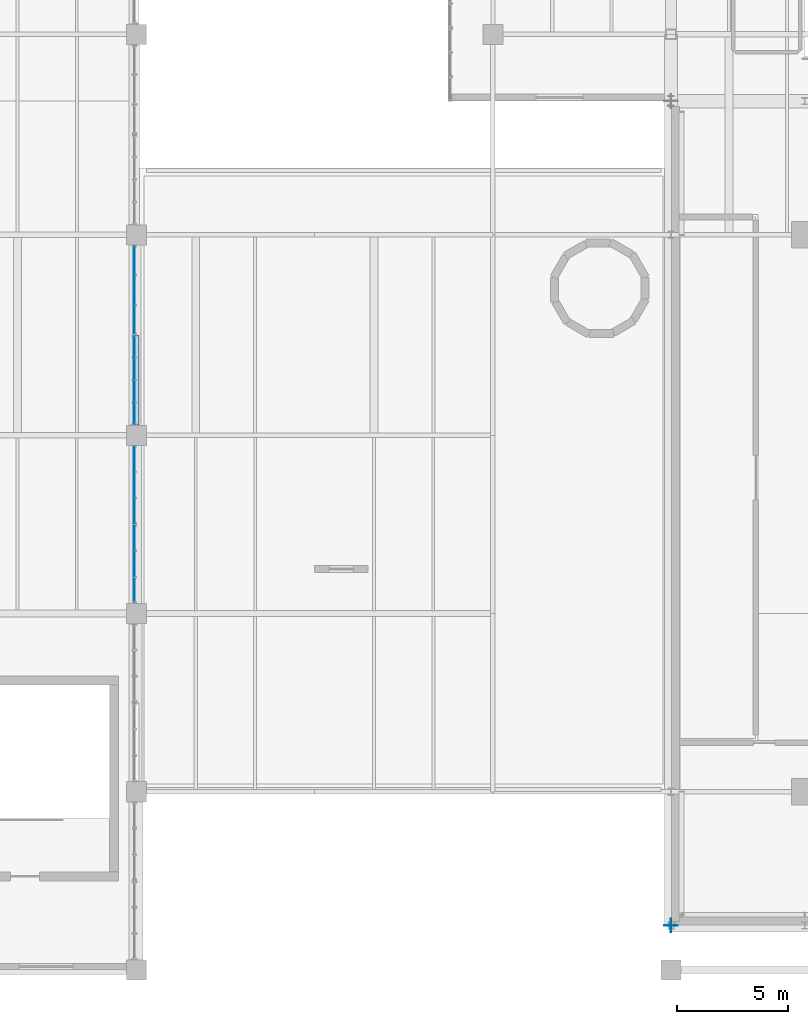
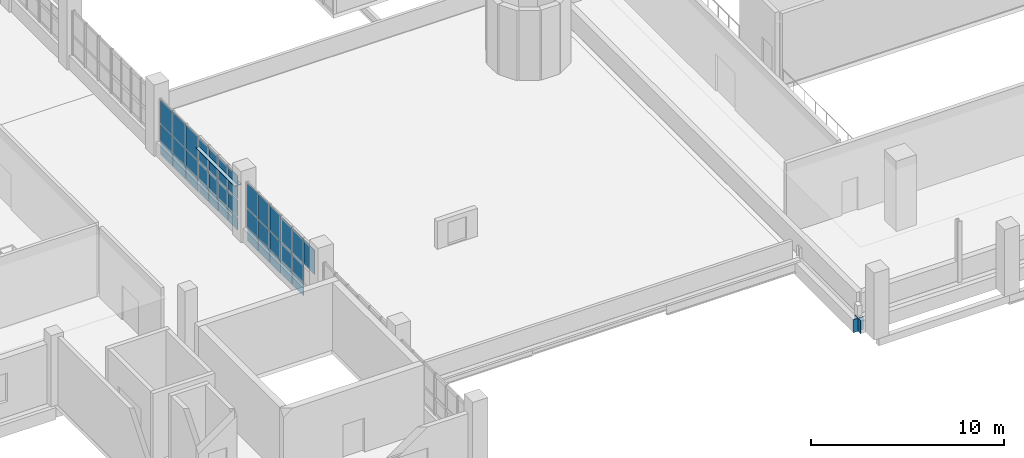
# One storey, part 51 of 85: 40 plates, 4 elements without a shape of their own.
"""IFC4 building model written with IfcOpenShell, lengths in metres."""

from ifc_helpers import new_model, si_unit, derived_unit, direction, frame, origin, origin_2d, place, context, subcontext, project, spatial, rectangle, extrude, material, layer, layer_set, type_object, element, aggregate, save


model = new_model("IFC4")

# Units and contexts
model_context = context("Model", 3, precision=1e-05, world=origin(), true_north=direction((0.0, 1.0)))
body_context = subcontext(model_context, "Body", "Model", "MODEL_VIEW")
ifc_project = project(units=[si_unit("LENGTHUNIT", "METRE"), si_unit("AREAUNIT", "SQUARE_METRE"), si_unit("VOLUMEUNIT", "CUBIC_METRE"), si_unit("PLANEANGLEUNIT", "RADIAN"), si_unit("MASSUNIT", "GRAM", prefix="KILO"), derived_unit("THERMALTRANSMITTANCEUNIT", [(si_unit("POWERUNIT", "WATT"), 1), (si_unit("LENGTHUNIT", "METRE"), -2), (si_unit("THERMODYNAMICTEMPERATUREUNIT", "KELVIN"), -1)])], contexts=[model_context])

# Site, building, storey
site_placement = place(None, origin())
site = spatial("IfcSite", under=ifc_project, at=site_placement, CompositionType="ELEMENT")
building_placement = place(site_placement, origin())
building = spatial("IfcBuilding", under=site, at=building_placement, Name="Nallur Shell Playhouse", CompositionType="ELEMENT")
storey_placement = place(building_placement, frame((0.0, 0.0, 19.800048828125)))
storey = spatial("IfcBuildingStorey", under=building, at=storey_placement, Name="L05", CompositionType="ELEMENT", Elevation=19.800048828125)

# Plates
ifc_material_1 = material(Name="Steel E350", Category="steel")
ifc_layer_1 = layer(ifc_material_1, 0.02001953125)
ifc_layer_set_1 = layer_set([ifc_layer_1], Name="Steel E350")
plate_type_1 = type_object("IfcPlateType", Name="PT-ENDCAP-20", PredefinedType="SHEET", material=ifc_layer_set_1)
plate_1_placement = place(storey_placement, frame((63.989990234375, 10.0, -1.06005859375), z_axis=(0.0, 0.0, 1.0), x_axis=(1.0, 0.0, 0.0)))
element("IfcPlate", 1, at=plate_1_placement, inside=storey, type_object=plate_type_1, Name="Hollow end cap EC-GB-L05-SA", PredefinedType="SHEET", context=body_context, shape_type="SweptSolid", body=[
    extrude(rectangle(XDim=0.02001953125, YDim=0.6201171875, at=origin_2d()), origin(), (0.0, 0.0, 1.0), 0.820068359375),
])
plate_2_placement = place(storey_placement, frame((64.0, 9.989990234375, -1.06005859375), z_axis=(0.0, 0.0, 1.0), x_axis=(1.0, 0.0, 0.0)))
element("IfcPlate", 2, at=plate_2_placement, inside=storey, type_object=plate_type_1, Name="Hollow end cap EC-GB-L05-WA", PredefinedType="SHEET", context=body_context, shape_type="SweptSolid", body=[
    extrude(rectangle(XDim=0.6201171875, YDim=0.02001953125, at=origin_2d()), origin(), (0.0, 0.0, 1.0), 0.820068359375),
])

# Curtain wall, plates
ifc_material_2 = material(Name="Anodised Aluminium Double-Glazed Facade System", Category="aluminium")
ifc_layer_2 = layer(ifc_material_2, 0.1640625)
ifc_layer_set_2 = layer_set([ifc_layer_2], Name="Anodised Aluminium Double-Glazed Facade System")
curtain_wall_type_1 = type_object("IfcCurtainWallType", Name="CW-UNIT-19", PredefinedType="NOTDEFINED", material=ifc_layer_set_2)
curtain_wall_1_placement = place(storey_placement, origin())
curtain_wall_1 = element("IfcCurtainWall", 3, at=curtain_wall_1_placement, inside=storey, type_object=curtain_wall_type_1, Name="Unitised curtain wall CW-179 (L05)", PredefinedType="NOTDEFINED")
ifc_material_3 = material(Name="Solar-Control Low-E Laminated Insulating Glass", Category="glass")
ifc_layer_3 = layer(ifc_material_3, 0.030029296875)
ifc_layer_set_3 = layer_set([ifc_layer_3], Name="Solar-Control Low-E Laminated Insulating Glass")
plate_type_2 = type_object("IfcPlateType", Name="PT-GLZ-03", PredefinedType="CURTAIN_PANEL", material=ifc_layer_set_3)
plate_3_placement = place(storey_placement, frame((39.909912109375, 39.84912109375, 0.05712890625), z_axis=(0.0, 0.0, 1.0), x_axis=(0.0, -1.0, 0.0)))
plate_3 = element("IfcPlate", 4, at=plate_3_placement, type_object=plate_type_2, Name="CW-19 panel 1.1", PredefinedType="CURTAIN_PANEL", context=body_context, shape_type="SweptSolid", body=[
    extrude(rectangle(XDim=1.24169921875, YDim=0.030029296875, at=origin_2d()), origin(), (0.0, 0.0, 1.0), 0.818603515625),
])
plate_4_placement = place(storey_placement, frame((39.909912109375, 39.84912109375, 0.92431640625), z_axis=(0.0, 0.0, 1.0), x_axis=(0.0, -1.0, 0.0)))
plate_4 = element("IfcPlate", 5, at=plate_4_placement, type_object=plate_type_2, Name="CW-19 panel 1.2", PredefinedType="CURTAIN_PANEL", context=body_context, shape_type="SweptSolid", body=[
    extrude(rectangle(XDim=1.24169921875, YDim=0.030029296875, at=origin_2d()), origin(), (0.0, 0.0, 1.0), 1.052978515625),
])
plate_5_placement = place(storey_placement, frame((39.909912109375, 39.84912109375, 2.0263671875), z_axis=(0.0, 0.0, 1.0), x_axis=(0.0, -1.0, 0.0)))
plate_5 = element("IfcPlate", 6, at=plate_5_placement, type_object=plate_type_2, Name="CW-19 panel 1.3", PredefinedType="CURTAIN_PANEL", context=body_context, shape_type="SweptSolid", body=[
    extrude(rectangle(XDim=1.24169921875, YDim=0.030029296875, at=origin_2d()), origin(), (0.0, 0.0, 1.0), 1.491455078125),
])
plate_6_placement = place(storey_placement, frame((39.909912109375, 38.5234375, 0.05712890625), z_axis=(0.0, 0.0, 1.0), x_axis=(0.0, -1.0, 0.0)))
plate_6 = element("IfcPlate", 7, at=plate_6_placement, type_object=plate_type_2, Name="CW-19 panel 2.1", PredefinedType="CURTAIN_PANEL", context=body_context, shape_type="SweptSolid", body=[
    extrude(rectangle(XDim=1.28173828125, YDim=0.030029296875, at=origin_2d()), origin(), (0.0, 0.0, 1.0), 0.818603515625),
])
plate_7_placement = place(storey_placement, frame((39.909912109375, 38.5234375, 0.92431640625), z_axis=(0.0, 0.0, 1.0), x_axis=(0.0, -1.0, 0.0)))
plate_7 = element("IfcPlate", 8, at=plate_7_placement, type_object=plate_type_2, Name="CW-19 panel 2.2", PredefinedType="CURTAIN_PANEL", context=body_context, shape_type="SweptSolid", body=[
    extrude(rectangle(XDim=1.28173828125, YDim=0.030029296875, at=origin_2d()), origin(), (0.0, 0.0, 1.0), 1.052978515625),
])
plate_8_placement = place(storey_placement, frame((39.909912109375, 38.5234375, 2.0263671875), z_axis=(0.0, 0.0, 1.0), x_axis=(0.0, -1.0, 0.0)))
plate_8 = element("IfcPlate", 9, at=plate_8_placement, type_object=plate_type_2, Name="CW-19 panel 2.3", PredefinedType="CURTAIN_PANEL", context=body_context, shape_type="SweptSolid", body=[
    extrude(rectangle(XDim=1.28173828125, YDim=0.030029296875, at=origin_2d()), origin(), (0.0, 0.0, 1.0), 1.491455078125),
])
plate_9_placement = place(storey_placement, frame((39.909912109375, 37.19775390625, 0.05712890625), z_axis=(0.0, 0.0, 1.0), x_axis=(0.0, -1.0, 0.0)))
plate_9 = element("IfcPlate", 10, at=plate_9_placement, type_object=plate_type_2, Name="CW-19 panel 3.1", PredefinedType="CURTAIN_PANEL", context=body_context, shape_type="SweptSolid", body=[
    extrude(rectangle(XDim=1.24169921875, YDim=0.030029296875, at=origin_2d()), origin(), (0.0, 0.0, 1.0), 0.818603515625),
])
plate_10_placement = place(storey_placement, frame((39.909912109375, 37.19775390625, 0.92431640625), z_axis=(0.0, 0.0, 1.0), x_axis=(0.0, -1.0, 0.0)))
plate_10 = element("IfcPlate", 11, at=plate_10_placement, type_object=plate_type_2, Name="CW-19 panel 3.2", PredefinedType="CURTAIN_PANEL", context=body_context, shape_type="SweptSolid", body=[
    extrude(rectangle(XDim=1.24169921875, YDim=0.030029296875, at=origin_2d()), origin(), (0.0, 0.0, 1.0), 1.052978515625),
])
plate_11_placement = place(storey_placement, frame((39.909912109375, 37.19775390625, 2.0263671875), z_axis=(0.0, 0.0, 1.0), x_axis=(0.0, -1.0, 0.0)))
plate_11 = element("IfcPlate", 12, at=plate_11_placement, type_object=plate_type_2, Name="CW-19 panel 3.3", PredefinedType="CURTAIN_PANEL", context=body_context, shape_type="SweptSolid", body=[
    extrude(rectangle(XDim=1.24169921875, YDim=0.030029296875, at=origin_2d()), origin(), (0.0, 0.0, 1.0), 1.491455078125),
])
aggregate(curtain_wall_1, [plate_3, plate_4, plate_5, plate_6, plate_7, plate_8, plate_9, plate_10, plate_11])

ifc_layer_4 = layer(ifc_material_2, 0.16796875)
ifc_layer_set_4 = layer_set([ifc_layer_4], Name="Anodised Aluminium Double-Glazed Facade System")
curtain_wall_type_2 = type_object("IfcCurtainWallType", Name="CW-UNIT-20", PredefinedType="NOTDEFINED", material=ifc_layer_set_4)
curtain_wall_2_placement = place(storey_placement, origin())
curtain_wall_2 = element("IfcCurtainWall", 13, at=curtain_wall_2_placement, inside=storey, type_object=curtain_wall_type_2, Name="Unitised curtain wall CW-180 (L05)", PredefinedType="NOTDEFINED")
ifc_layer_5 = layer(ifc_material_3, 0.031982421875)
ifc_layer_set_5 = layer_set([ifc_layer_5], Name="Solar-Control Low-E Laminated Insulating Glass")
plate_type_3 = type_object("IfcPlateType", Name="PT-GLZ-04", PredefinedType="CURTAIN_PANEL", material=ifc_layer_set_5)
plate_12_placement = place(storey_placement, frame((39.909912109375, 35.9716796875, 0.091796875), z_axis=(0.0, 0.0, 1.0), x_axis=(0.0, -1.0, 0.0)))
plate_12 = element("IfcPlate", 14, at=plate_12_placement, type_object=plate_type_3, Name="CW-20 panel 1.1", PredefinedType="CURTAIN_PANEL", context=body_context, shape_type="SweptSolid", body=[
    extrude(rectangle(XDim=0.912841796875, YDim=0.031982421875, at=origin_2d()), origin(), (0.0, 0.0, 1.0), 0.76611328125),
])
plate_13_placement = place(storey_placement, frame((39.909912109375, 35.9716796875, 0.94189453125), z_axis=(0.0, 0.0, 1.0), x_axis=(0.0, -1.0, 0.0)))
plate_13 = element("IfcPlate", 15, at=plate_13_placement, type_object=plate_type_3, Name="CW-20 panel 1.2", PredefinedType="CURTAIN_PANEL", context=body_context, shape_type="SweptSolid", body=[
    extrude(rectangle(XDim=0.912841796875, YDim=0.031982421875, at=origin_2d()), origin(), (0.0, 0.0, 1.0), 1.052001953125),
])
plate_14_placement = place(storey_placement, frame((39.909912109375, 35.9716796875, 2.078125), z_axis=(0.0, 0.0, 1.0), x_axis=(0.0, -1.0, 0.0)))
plate_14 = element("IfcPlate", 16, at=plate_14_placement, type_object=plate_type_3, Name="CW-20 panel 1.3", PredefinedType="CURTAIN_PANEL", context=body_context, shape_type="SweptSolid", body=[
    extrude(rectangle(XDim=0.912841796875, YDim=0.031982421875, at=origin_2d()), origin(), (0.0, 0.0, 1.0), 1.465087890625),
])
plate_15_placement = place(storey_placement, frame((39.909912109375, 34.981201171875, 0.091796875), z_axis=(0.0, 0.0, 1.0), x_axis=(0.0, -1.0, 0.0)))
plate_15 = element("IfcPlate", 17, at=plate_15_placement, type_object=plate_type_3, Name="CW-20 panel 2.1", PredefinedType="CURTAIN_PANEL", context=body_context, shape_type="SweptSolid", body=[
    extrude(rectangle(XDim=0.9501953125, YDim=0.031982421875, at=origin_2d()), origin(), (0.0, 0.0, 1.0), 0.76611328125),
])
plate_16_placement = place(storey_placement, frame((39.909912109375, 34.981201171875, 0.94189453125), z_axis=(0.0, 0.0, 1.0), x_axis=(0.0, -1.0, 0.0)))
plate_16 = element("IfcPlate", 18, at=plate_16_placement, type_object=plate_type_3, Name="CW-20 panel 2.2", PredefinedType="CURTAIN_PANEL", context=body_context, shape_type="SweptSolid", body=[
    extrude(rectangle(XDim=0.9501953125, YDim=0.031982421875, at=origin_2d()), origin(), (0.0, 0.0, 1.0), 1.052001953125),
])
plate_17_placement = place(storey_placement, frame((39.909912109375, 34.981201171875, 2.078125), z_axis=(0.0, 0.0, 1.0), x_axis=(0.0, -1.0, 0.0)))
plate_17 = element("IfcPlate", 19, at=plate_17_placement, type_object=plate_type_3, Name="CW-20 panel 2.3", PredefinedType="CURTAIN_PANEL", context=body_context, shape_type="SweptSolid", body=[
    extrude(rectangle(XDim=0.9501953125, YDim=0.031982421875, at=origin_2d()), origin(), (0.0, 0.0, 1.0), 1.465087890625),
])
plate_18_placement = place(storey_placement, frame((39.909912109375, 33.971923828125, 0.091796875), z_axis=(0.0, 0.0, 1.0), x_axis=(0.0, -1.0, 0.0)))
plate_18 = element("IfcPlate", 20, at=plate_18_placement, type_object=plate_type_3, Name="CW-20 panel 3.1", PredefinedType="CURTAIN_PANEL", context=body_context, shape_type="SweptSolid", body=[
    extrude(rectangle(XDim=0.9501953125, YDim=0.031982421875, at=origin_2d()), origin(), (0.0, 0.0, 1.0), 0.76611328125),
])
plate_19_placement = place(storey_placement, frame((39.909912109375, 33.971923828125, 0.94189453125), z_axis=(0.0, 0.0, 1.0), x_axis=(0.0, -1.0, 0.0)))
plate_19 = element("IfcPlate", 21, at=plate_19_placement, type_object=plate_type_3, Name="CW-20 panel 3.2", PredefinedType="CURTAIN_PANEL", context=body_context, shape_type="SweptSolid", body=[
    extrude(rectangle(XDim=0.9501953125, YDim=0.031982421875, at=origin_2d()), origin(), (0.0, 0.0, 1.0), 1.052001953125),
])
plate_20_placement = place(storey_placement, frame((39.909912109375, 33.971923828125, 2.078125), z_axis=(0.0, 0.0, 1.0), x_axis=(0.0, -1.0, 0.0)))
plate_20 = element("IfcPlate", 22, at=plate_20_placement, type_object=plate_type_3, Name="CW-20 panel 3.3", PredefinedType="CURTAIN_PANEL", context=body_context, shape_type="SweptSolid", body=[
    extrude(rectangle(XDim=0.9501953125, YDim=0.031982421875, at=origin_2d()), origin(), (0.0, 0.0, 1.0), 1.465087890625),
])
plate_21_placement = place(storey_placement, frame((39.909912109375, 32.9814453125, 0.091796875), z_axis=(0.0, 0.0, 1.0), x_axis=(0.0, -1.0, 0.0)))
plate_21 = element("IfcPlate", 23, at=plate_21_placement, type_object=plate_type_3, Name="CW-20 panel 4.1", PredefinedType="CURTAIN_PANEL", context=body_context, shape_type="SweptSolid", body=[
    extrude(rectangle(XDim=0.912841796875, YDim=0.031982421875, at=origin_2d()), origin(), (0.0, 0.0, 1.0), 0.76611328125),
])
plate_22_placement = place(storey_placement, frame((39.909912109375, 32.9814453125, 0.94189453125), z_axis=(0.0, 0.0, 1.0), x_axis=(0.0, -1.0, 0.0)))
plate_22 = element("IfcPlate", 24, at=plate_22_placement, type_object=plate_type_3, Name="CW-20 panel 4.2", PredefinedType="CURTAIN_PANEL", context=body_context, shape_type="SweptSolid", body=[
    extrude(rectangle(XDim=0.912841796875, YDim=0.031982421875, at=origin_2d()), origin(), (0.0, 0.0, 1.0), 1.052001953125),
])
plate_23_placement = place(storey_placement, frame((39.909912109375, 32.9814453125, 2.078125), z_axis=(0.0, 0.0, 1.0), x_axis=(0.0, -1.0, 0.0)))
plate_23 = element("IfcPlate", 25, at=plate_23_placement, type_object=plate_type_3, Name="CW-20 panel 4.3", PredefinedType="CURTAIN_PANEL", context=body_context, shape_type="SweptSolid", body=[
    extrude(rectangle(XDim=0.912841796875, YDim=0.031982421875, at=origin_2d()), origin(), (0.0, 0.0, 1.0), 1.465087890625),
])
aggregate(curtain_wall_2, [plate_12, plate_13, plate_14, plate_15, plate_16, plate_17, plate_18, plate_19, plate_20, plate_21, plate_22, plate_23])

ifc_layer_6 = layer(ifc_material_2, 0.172119140625)
ifc_layer_set_6 = layer_set([ifc_layer_6], Name="Anodised Aluminium Double-Glazed Facade System")
curtain_wall_type_3 = type_object("IfcCurtainWallType", Name="CW-UNIT-21", PredefinedType="NOTDEFINED", material=ifc_layer_set_6)
curtain_wall_3_placement = place(storey_placement, origin())
curtain_wall_3 = element("IfcCurtainWall", 26, at=curtain_wall_3_placement, inside=storey, type_object=curtain_wall_type_3, Name="Unitised curtain wall CW-181 (L05)", PredefinedType="NOTDEFINED")
ifc_layer_7 = layer(ifc_material_3, 0.033935546875)
ifc_layer_set_7 = layer_set([ifc_layer_7], Name="Solar-Control Low-E Laminated Insulating Glass")
plate_type_4 = type_object("IfcPlateType", Name="PT-GLZ-05", PredefinedType="CURTAIN_PANEL", material=ifc_layer_set_7)
plate_24_placement = place(storey_placement, frame((39.909912109375, 30.936279296875, 0.05712890625), z_axis=(0.0, 0.0, 1.0), x_axis=(0.0, -1.0, 0.0)))
plate_24 = element("IfcPlate", 27, at=plate_24_placement, type_object=plate_type_4, Name="CW-21 panel 1.1", PredefinedType="CURTAIN_PANEL", context=body_context, shape_type="SweptSolid", body=[
    extrude(rectangle(XDim=1.097412109375, YDim=0.033935546875, at=origin_2d()), origin(), (0.0, 0.0, 1.0), 0.818603515625),
])
plate_25_placement = place(storey_placement, frame((39.909912109375, 30.936279296875, 0.92431640625), z_axis=(0.0, 0.0, 1.0), x_axis=(0.0, -1.0, 0.0)))
plate_25 = element("IfcPlate", 28, at=plate_25_placement, type_object=plate_type_4, Name="CW-21 panel 1.2", PredefinedType="CURTAIN_PANEL", context=body_context, shape_type="SweptSolid", body=[
    extrude(rectangle(XDim=1.097412109375, YDim=0.033935546875, at=origin_2d()), origin(), (0.0, 0.0, 1.0), 1.158935546875),
])
plate_26_placement = place(storey_placement, frame((39.909912109375, 30.936279296875, 2.13232421875), z_axis=(0.0, 0.0, 1.0), x_axis=(0.0, -1.0, 0.0)))
plate_26 = element("IfcPlate", 29, at=plate_26_placement, type_object=plate_type_4, Name="CW-21 panel 1.3", PredefinedType="CURTAIN_PANEL", context=body_context, shape_type="SweptSolid", body=[
    extrude(rectangle(XDim=1.097412109375, YDim=0.033935546875, at=origin_2d()), origin(), (0.0, 0.0, 1.0), 1.575439453125),
])
plate_27_placement = place(storey_placement, frame((39.909912109375, 29.7734375, 0.05712890625), z_axis=(0.0, 0.0, 1.0), x_axis=(0.0, -1.0, 0.0)))
plate_27 = element("IfcPlate", 30, at=plate_27_placement, type_object=plate_type_4, Name="CW-21 panel 2.1", PredefinedType="CURTAIN_PANEL", context=body_context, shape_type="SweptSolid", body=[
    extrude(rectangle(XDim=1.1298828125, YDim=0.033935546875, at=origin_2d()), origin(), (0.0, 0.0, 1.0), 0.818603515625),
])
plate_28_placement = place(storey_placement, frame((39.909912109375, 29.7734375, 0.92431640625), z_axis=(0.0, 0.0, 1.0), x_axis=(0.0, -1.0, 0.0)))
plate_28 = element("IfcPlate", 31, at=plate_28_placement, type_object=plate_type_4, Name="CW-21 panel 2.2", PredefinedType="CURTAIN_PANEL", context=body_context, shape_type="SweptSolid", body=[
    extrude(rectangle(XDim=1.1298828125, YDim=0.033935546875, at=origin_2d()), origin(), (0.0, 0.0, 1.0), 1.158935546875),
])
plate_29_placement = place(storey_placement, frame((39.909912109375, 29.7734375, 2.13232421875), z_axis=(0.0, 0.0, 1.0), x_axis=(0.0, -1.0, 0.0)))
plate_29 = element("IfcPlate", 32, at=plate_29_placement, type_object=plate_type_4, Name="CW-21 panel 2.3", PredefinedType="CURTAIN_PANEL", context=body_context, shape_type="SweptSolid", body=[
    extrude(rectangle(XDim=1.1298828125, YDim=0.033935546875, at=origin_2d()), origin(), (0.0, 0.0, 1.0), 1.575439453125),
])
plate_30_placement = place(storey_placement, frame((39.909912109375, 28.61083984375, 0.05712890625), z_axis=(0.0, 0.0, 1.0), x_axis=(0.0, -1.0, 0.0)))
plate_30 = element("IfcPlate", 33, at=plate_30_placement, type_object=plate_type_4, Name="CW-21 panel 3.1", PredefinedType="CURTAIN_PANEL", context=body_context, shape_type="SweptSolid", body=[
    extrude(rectangle(XDim=1.097412109375, YDim=0.033935546875, at=origin_2d()), origin(), (0.0, 0.0, 1.0), 0.818603515625),
])
plate_31_placement = place(storey_placement, frame((39.909912109375, 28.61083984375, 0.92431640625), z_axis=(0.0, 0.0, 1.0), x_axis=(0.0, -1.0, 0.0)))
plate_31 = element("IfcPlate", 34, at=plate_31_placement, type_object=plate_type_4, Name="CW-21 panel 3.2", PredefinedType="CURTAIN_PANEL", context=body_context, shape_type="SweptSolid", body=[
    extrude(rectangle(XDim=1.097412109375, YDim=0.033935546875, at=origin_2d()), origin(), (0.0, 0.0, 1.0), 1.158935546875),
])
plate_32_placement = place(storey_placement, frame((39.909912109375, 28.61083984375, 2.13232421875), z_axis=(0.0, 0.0, 1.0), x_axis=(0.0, -1.0, 0.0)))
plate_32 = element("IfcPlate", 35, at=plate_32_placement, type_object=plate_type_4, Name="CW-21 panel 3.3", PredefinedType="CURTAIN_PANEL", context=body_context, shape_type="SweptSolid", body=[
    extrude(rectangle(XDim=1.097412109375, YDim=0.033935546875, at=origin_2d()), origin(), (0.0, 0.0, 1.0), 1.575439453125),
])
aggregate(curtain_wall_3, [plate_24, plate_25, plate_26, plate_27, plate_28, plate_29, plate_30, plate_31, plate_32])

ifc_layer_8 = layer(ifc_material_2, 0.176025390625)
ifc_layer_set_8 = layer_set([ifc_layer_8], Name="Anodised Aluminium Double-Glazed Facade System")
curtain_wall_type_4 = type_object("IfcCurtainWallType", Name="CW-UNIT-22", PredefinedType="NOTDEFINED", material=ifc_layer_set_8)
curtain_wall_4_placement = place(storey_placement, origin())
curtain_wall_4 = element("IfcCurtainWall", 36, at=curtain_wall_4_placement, inside=storey, type_object=curtain_wall_type_4, Name="Unitised curtain wall CW-182 (L05)", PredefinedType="NOTDEFINED")
ifc_layer_9 = layer(ifc_material_3, 0.035888671875)
ifc_layer_set_9 = layer_set([ifc_layer_9], Name="Solar-Control Low-E Laminated Insulating Glass")
plate_type_5 = type_object("IfcPlateType", Name="PT-GLZ-06", PredefinedType="CURTAIN_PANEL", material=ifc_layer_set_9)
plate_33_placement = place(storey_placement, frame((39.909912109375, 27.385498046875, 0.091796875), z_axis=(0.0, 0.0, 1.0), x_axis=(0.0, -1.0, 0.0)))
plate_33 = element("IfcPlate", 37, at=plate_33_placement, type_object=plate_type_5, Name="CW-22 panel 1.1", PredefinedType="CURTAIN_PANEL", context=body_context, shape_type="SweptSolid", body=[
    extrude(rectangle(XDim=1.074951171875, YDim=0.035888671875, at=origin_2d()), origin(), (0.0, 0.0, 1.0), 0.76611328125),
])
plate_34_placement = place(storey_placement, frame((39.909912109375, 27.385498046875, 0.94189453125), z_axis=(0.0, 0.0, 1.0), x_axis=(0.0, -1.0, 0.0)))
plate_34 = element("IfcPlate", 38, at=plate_34_placement, type_object=plate_type_5, Name="CW-22 panel 1.2", PredefinedType="CURTAIN_PANEL", context=body_context, shape_type="SweptSolid", body=[
    extrude(rectangle(XDim=1.074951171875, YDim=0.035888671875, at=origin_2d()), origin(), (0.0, 0.0, 1.0), 1.113037109375),
])
plate_35_placement = place(storey_placement, frame((39.909912109375, 27.385498046875, 2.13916015625), z_axis=(0.0, 0.0, 1.0), x_axis=(0.0, -1.0, 0.0)))
plate_35 = element("IfcPlate", 39, at=plate_35_placement, type_object=plate_type_5, Name="CW-22 panel 1.3", PredefinedType="CURTAIN_PANEL", context=body_context, shape_type="SweptSolid", body=[
    extrude(rectangle(XDim=1.074951171875, YDim=0.035888671875, at=origin_2d()), origin(), (0.0, 0.0, 1.0), 1.513916015625),
])
plate_36_placement = place(storey_placement, frame((39.909912109375, 26.2265625, 0.091796875), z_axis=(0.0, 0.0, 1.0), x_axis=(0.0, -1.0, 0.0)))
plate_36 = element("IfcPlate", 40, at=plate_36_placement, type_object=plate_type_5, Name="CW-22 panel 2.1", PredefinedType="CURTAIN_PANEL", context=body_context, shape_type="SweptSolid", body=[
    extrude(rectangle(XDim=1.114990234375, YDim=0.035888671875, at=origin_2d()), origin(), (0.0, 0.0, 1.0), 0.76611328125),
])
plate_37_placement = place(storey_placement, frame((39.909912109375, 26.2265625, 0.94189453125), z_axis=(0.0, 0.0, 1.0), x_axis=(0.0, -1.0, 0.0)))
plate_37 = element("IfcPlate", 41, at=plate_37_placement, type_object=plate_type_5, Name="CW-22 panel 2.2", PredefinedType="CURTAIN_PANEL", context=body_context, shape_type="SweptSolid", body=[
    extrude(rectangle(XDim=1.114990234375, YDim=0.035888671875, at=origin_2d()), origin(), (0.0, 0.0, 1.0), 1.113037109375),
])
plate_38_placement = place(storey_placement, frame((39.909912109375, 26.2265625, 2.13916015625), z_axis=(0.0, 0.0, 1.0), x_axis=(0.0, -1.0, 0.0)))
plate_38 = element("IfcPlate", 42, at=plate_38_placement, type_object=plate_type_5, Name="CW-22 panel 2.3", PredefinedType="CURTAIN_PANEL", context=body_context, shape_type="SweptSolid", body=[
    extrude(rectangle(XDim=1.114990234375, YDim=0.035888671875, at=origin_2d()), origin(), (0.0, 0.0, 1.0), 1.513916015625),
])
plate_39_placement = place(storey_placement, frame((39.909912109375, 25.0673828125, 2.13916015625), z_axis=(0.0, 0.0, 1.0), x_axis=(0.0, -1.0, 0.0)))
plate_39 = element("IfcPlate", 43, at=plate_39_placement, type_object=plate_type_5, Name="CW-22 panel 3.3", PredefinedType="CURTAIN_PANEL", context=body_context, shape_type="SweptSolid", body=[
    extrude(rectangle(XDim=1.074951171875, YDim=0.035888671875, at=origin_2d()), origin(), (0.0, 0.0, 1.0), 1.513916015625),
])
aggregate(curtain_wall_4, [plate_33, plate_34, plate_35, plate_36, plate_37, plate_38, plate_39])

# Plate
ifc_material_4 = material(Name="Terracotta & Gold-Anodised Monsoon Sunshade Blade", Category="masonry")
ifc_layer_10 = layer(ifc_material_4, 0.044921875)
ifc_layer_set_10 = layer_set([ifc_layer_10], Name="Terracotta & Gold-Anodised Monsoon Sunshade Blade")
plate_type_6 = type_object("IfcPlateType", Name="PT-LOUVRE-01", PredefinedType="USERDEFINED", material=ifc_layer_set_10)
plate_40_placement = place(storey_placement, frame((39.909912109375, 34.4765625, 2.932373046875), z_axis=(0.0, 0.0, 1.0), x_axis=(0.0, -1.0, 0.0)))
element("IfcPlate", 44, at=plate_40_placement, inside=storey, type_object=plate_type_6, Name="Monsoon sunshade louvre blade LV-045", ObjectType="SUNSHADE LOUVRE", PredefinedType="USERDEFINED", context=body_context, shape_type="SweptSolid", body=[
    extrude(rectangle(XDim=3.9970703125, YDim=0.419921875, at=origin_2d()), origin(), (0.0, 0.0, 1.0), 0.044921875),
])

save(model, "model.ifc")
